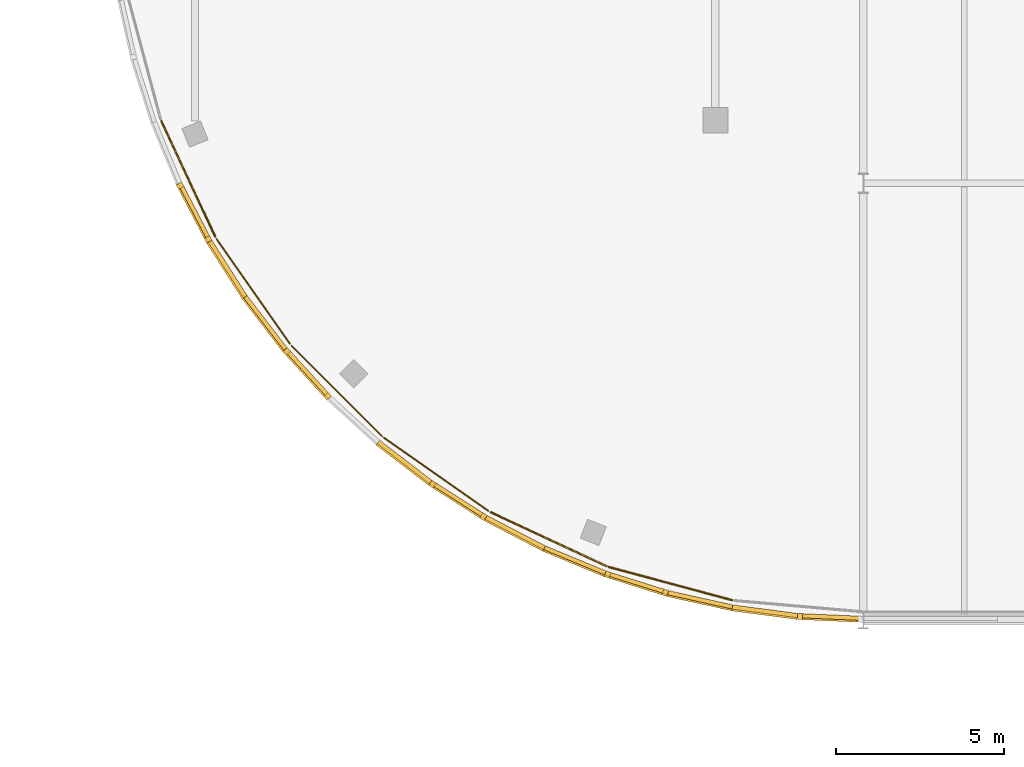
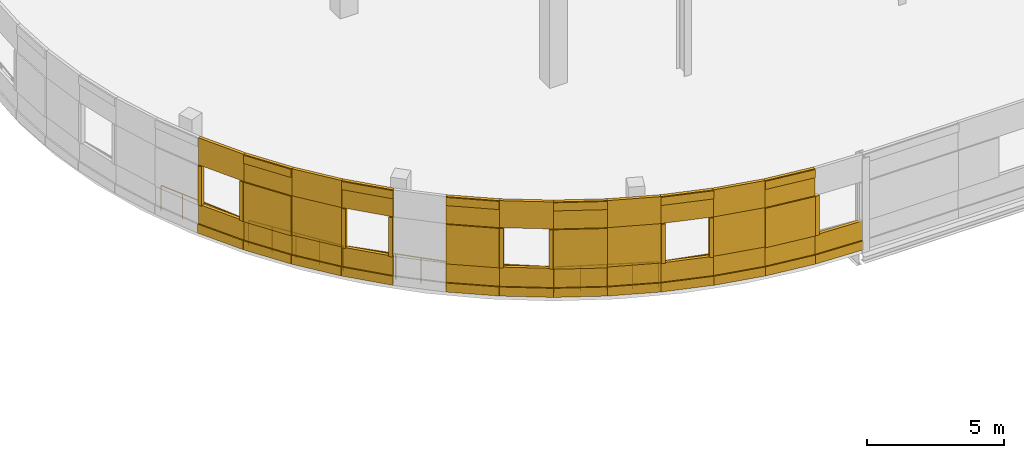
# One storey, part 77 of 88: 57 coverings, 6 railings.
"""IFC4 building model written with IfcOpenShell, lengths in metres."""

from ifc_helpers import new_model, si_unit, direction, frame, origin, origin_2d, place, context, subcontext, project, spatial, rectangle, circle, extrude, material, layer, layer_set, type_object, element, save


model = new_model("IFC4")

# Units and contexts
model_context = context("Model", 3, precision=1e-05, world=origin(), true_north=direction((0.0, 1.0)))
body_context = subcontext(model_context, "Body", "Model", "MODEL_VIEW")
ifc_project = project(units=[si_unit("LENGTHUNIT", "METRE"), si_unit("AREAUNIT", "SQUARE_METRE"), si_unit("VOLUMEUNIT", "CUBIC_METRE"), si_unit("PLANEANGLEUNIT", "RADIAN"), si_unit("MASSUNIT", "GRAM", prefix="KILO")], contexts=[model_context])

# Site, building, storey
site_placement = place(None, origin())
site = spatial("IfcSite", under=ifc_project, at=site_placement, CompositionType="ELEMENT")
building_placement = place(site_placement, origin())
building = spatial("IfcBuilding", under=site, at=building_placement, Name="Deido Ridge Mobility Hub", CompositionType="ELEMENT")
storey_placement = place(building_placement, frame((0.0, 0.0, 16.800048828125)))
storey = spatial("IfcBuildingStorey", under=building, at=storey_placement, Name="L04", CompositionType="ELEMENT", Elevation=16.800048828125)

# Coverings
ifc_material_1 = material(Name="Fired clay brick masonry", Category="masonry")
ifc_layer = layer(ifc_material_1, 0.114990234375, Name="Fired clay brick masonry")
ifc_layer_set = layer_set([ifc_layer], Name="Fired clay brick masonry")
covering_type = type_object("IfcCoveringType", Name="COV-BRK-SCREEN-115", PredefinedType="CLADDING", material=ifc_layer_set)
covering_1_placement = place(storey_placement, frame((25.107666015625, 93.144775390625, 0.0), z_axis=(0.0, 0.0, 1.0), x_axis=(0.461733131905, -0.887018892077, 0.0)))
element("IfcCovering", 1, at=covering_1_placement, inside=storey, type_object=covering_type, Name="Open brickwork spandrel course BKS1 (L04)", PredefinedType="CLADDING", context=body_context, shape_type="SweptSolid", body=[
    extrude(rectangle(XDim=1.9619140625, YDim=0.125, at=origin_2d()), origin(), (0.0, 0.0, 1.0), 1.25),
])
covering_2_placement = place(storey_placement, frame((25.083251953125, 93.132080078125, 0.0), z_axis=(0.0, 0.0, 1.0), x_axis=(0.461733131905, -0.887018892077, 0.0)))
element("IfcCovering", 2, at=covering_2_placement, inside=storey, type_object=covering_type, Name="Raised brick relief belt BKS1 (L04)", PredefinedType="CLADDING", context=body_context, shape_type="SweptSolid", body=[
    extrude(rectangle(XDim=1.9619140625, YDim=0.179931640625, at=origin_2d()), origin(), (0.0, 0.0, 1.0), 0.39990234375),
])
covering_3_placement = place(storey_placement, frame((25.107666015625, 93.144775390625, 3.0), z_axis=(0.0, 0.0, 1.0), x_axis=(0.461733131905, -0.887018892077, 0.0)))
element("IfcCovering", 3, at=covering_3_placement, inside=storey, type_object=covering_type, Name="Open brickwork lintel course BKS1 (L04)", PredefinedType="CLADDING", context=body_context, shape_type="SweptSolid", body=[
    extrude(rectangle(XDim=1.9619140625, YDim=0.125, at=origin_2d()), origin(), (0.0, 0.0, 1.0), 1.199951171875),
])
for number, where, z_axis, x_axis, name in (
    (4, (24.667236328125, 93.931396484375, 1.25), (0.0, 0.0, 1.0), (0.461733131905, -0.887018892077, 0.0), "Curved brick jamb nib BKS1 (L04)"),
    (5, (25.49951171875, 92.332763671875, 1.25), (0.0, 0.0, 1.0), (0.461733131905, -0.887018892077, 0.0), "Curved brick jamb nib BKS1 (L04)"),
):
    element("IfcCovering", number, at=place(storey_placement, frame(where, z_axis=z_axis, x_axis=x_axis)), inside=storey, type_object=covering_type, Name=name, PredefinedType="CLADDING", context=body_context, shape_type="SweptSolid", body=[
        extrude(rectangle(XDim=0.152099609375, YDim=0.179931640625, at=origin_2d()), origin(), (0.0, 0.0, 1.0), 1.75),
    ])
covering_4_placement = place(storey_placement, frame((26.0859375, 91.450439453125, 0.0), z_axis=(0.0, 0.0, 1.0), x_axis=(0.537314328223, -0.843382068037, 0.0)))
element("IfcCovering", 6, at=covering_4_placement, inside=storey, type_object=covering_type, Name="Open brickwork spandrel course BKS1 (L04)", PredefinedType="CLADDING", context=body_context, shape_type="SweptSolid", body=[
    extrude(rectangle(XDim=1.9619140625, YDim=0.125, at=origin_2d()), origin(), (0.0, 0.0, 1.0), 1.25),
])
covering_5_placement = place(storey_placement, frame((26.062744140625, 91.435791015625, 0.0), z_axis=(0.0, 0.0, 1.0), x_axis=(0.537314328223, -0.843382068037, 0.0)))
element("IfcCovering", 7, at=covering_5_placement, inside=storey, type_object=covering_type, Name="Raised brick relief belt BKS1 (L04)", PredefinedType="CLADDING", context=body_context, shape_type="SweptSolid", body=[
    extrude(rectangle(XDim=1.9619140625, YDim=0.179931640625, at=origin_2d()), origin(), (0.0, 0.0, 1.0), 0.39990234375),
])
covering_6_placement = place(storey_placement, frame((26.0859375, 91.450439453125, 3.0), z_axis=(0.0, 0.0, 1.0), x_axis=(0.537314328223, -0.843382068037, 0.0)))
element("IfcCovering", 8, at=covering_6_placement, inside=storey, type_object=covering_type, Name="Open brickwork lintel course BKS1 (L04)", PredefinedType="CLADDING", context=body_context, shape_type="SweptSolid", body=[
    extrude(rectangle(XDim=1.9619140625, YDim=0.125, at=origin_2d()), origin(), (0.0, 0.0, 1.0), 1.199951171875),
])
covering_7_placement = place(storey_placement, frame((26.062744140625, 91.435791015625, 3.83984375), z_axis=(0.0, 0.0, 1.0), x_axis=(0.537314328223, -0.843382068037, 0.0)))
element("IfcCovering", 9, at=covering_7_placement, inside=storey, type_object=covering_type, Name="Raised brick relief cornice BKS1 (L04)", PredefinedType="CLADDING", context=body_context, shape_type="SweptSolid", body=[
    extrude(rectangle(XDim=1.9619140625, YDim=0.179931640625, at=origin_2d()), origin(), (0.0, 0.0, 1.0), 0.360107421875),
])
covering_8_placement = place(storey_placement, frame((26.062744140625, 91.435791015625, 1.25), z_axis=(0.0, 0.0, 1.0), x_axis=(0.537314328223, -0.843382068037, 0.0)))
element("IfcCovering", 10, at=covering_8_placement, inside=storey, type_object=covering_type, Name="Curved raised brickwork pier BKS1 (L04)", PredefinedType="CLADDING", context=body_context, shape_type="SweptSolid", body=[
    extrude(rectangle(XDim=1.9619140625, YDim=0.179931640625, at=origin_2d()), origin(), (0.0, 0.0, 1.0), 1.75),
])
covering_9_placement = place(storey_placement, frame((27.2080078125, 89.847900390625, 0.0), z_axis=(0.0, 0.0, 1.0), x_axis=(0.608761429009, -0.793353340291, 0.0)))
element("IfcCovering", 11, at=covering_9_placement, inside=storey, type_object=covering_type, Name="Open brickwork spandrel course BKS1 (L04)", PredefinedType="CLADDING", context=body_context, shape_type="SweptSolid", body=[
    extrude(rectangle(XDim=1.9619140625, YDim=0.125, at=origin_2d()), origin(), (0.0, 0.0, 1.0), 1.25),
])
covering_10_placement = place(storey_placement, frame((27.186279296875, 89.8310546875, 0.0), z_axis=(0.0, 0.0, 1.0), x_axis=(0.608761429009, -0.793353340291, 0.0)))
element("IfcCovering", 12, at=covering_10_placement, inside=storey, type_object=covering_type, Name="Raised brick relief belt BKS1 (L04)", PredefinedType="CLADDING", context=body_context, shape_type="SweptSolid", body=[
    extrude(rectangle(XDim=1.9619140625, YDim=0.179931640625, at=origin_2d()), origin(), (0.0, 0.0, 1.0), 0.39990234375),
])
covering_11_placement = place(storey_placement, frame((27.2080078125, 89.847900390625, 3.0), z_axis=(0.0, 0.0, 1.0), x_axis=(0.608761429009, -0.793353340291, 0.0)))
element("IfcCovering", 13, at=covering_11_placement, inside=storey, type_object=covering_type, Name="Open brickwork lintel course BKS1 (L04)", PredefinedType="CLADDING", context=body_context, shape_type="SweptSolid", body=[
    extrude(rectangle(XDim=1.9619140625, YDim=0.125, at=origin_2d()), origin(), (0.0, 0.0, 1.0), 1.199951171875),
])
covering_12_placement = place(storey_placement, frame((27.2080078125, 89.847900390625, 1.25), z_axis=(0.0, 0.0, 1.0), x_axis=(0.608761429009, -0.793353340291, 0.0)))
element("IfcCovering", 14, at=covering_12_placement, inside=storey, type_object=covering_type, Name="Curved raised brickwork pier BKS1 (L04)", PredefinedType="CLADDING", context=body_context, shape_type="SweptSolid", body=[
    extrude(rectangle(XDim=1.9619140625, YDim=0.125, at=origin_2d()), origin(), (0.0, 0.0, 1.0), 1.75),
])
covering_13_placement = place(storey_placement, frame((28.4658203125, 88.34912109375, 0.0), z_axis=(0.0, 0.0, 1.0), x_axis=(0.675577339596, -0.737289127971, 0.0)))
element("IfcCovering", 15, at=covering_13_placement, inside=storey, type_object=covering_type, Name="Open brickwork spandrel course BKS1 (L04)", PredefinedType="CLADDING", context=body_context, shape_type="SweptSolid", body=[
    extrude(rectangle(XDim=1.9619140625, YDim=0.125, at=origin_2d()), origin(), (0.0, 0.0, 1.0), 1.25),
])
covering_14_placement = place(storey_placement, frame((28.4453125, 88.33056640625, 0.0), z_axis=(0.0, 0.0, 1.0), x_axis=(0.675577339596, -0.737289127971, 0.0)))
element("IfcCovering", 16, at=covering_14_placement, inside=storey, type_object=covering_type, Name="Raised brick relief belt BKS1 (L04)", PredefinedType="CLADDING", context=body_context, shape_type="SweptSolid", body=[
    extrude(rectangle(XDim=1.9619140625, YDim=0.179931640625, at=origin_2d()), origin(), (0.0, 0.0, 1.0), 0.39990234375),
])
covering_15_placement = place(storey_placement, frame((28.4658203125, 88.34912109375, 3.0), z_axis=(0.0, 0.0, 1.0), x_axis=(0.675577339596, -0.737289127971, 0.0)))
element("IfcCovering", 17, at=covering_15_placement, inside=storey, type_object=covering_type, Name="Open brickwork lintel course BKS1 (L04)", PredefinedType="CLADDING", context=body_context, shape_type="SweptSolid", body=[
    extrude(rectangle(XDim=1.9619140625, YDim=0.125, at=origin_2d()), origin(), (0.0, 0.0, 1.0), 1.199951171875),
])
covering_16_placement = place(storey_placement, frame((28.4453125, 88.33056640625, 3.83984375), z_axis=(0.0, 0.0, 1.0), x_axis=(0.675577339596, -0.737289127971, 0.0)))
element("IfcCovering", 18, at=covering_16_placement, inside=storey, type_object=covering_type, Name="Raised brick relief cornice BKS1 (L04)", PredefinedType="CLADDING", context=body_context, shape_type="SweptSolid", body=[
    extrude(rectangle(XDim=1.9619140625, YDim=0.179931640625, at=origin_2d()), origin(), (0.0, 0.0, 1.0), 0.360107421875),
])
for number, where, z_axis, x_axis, name in (
    (19, (27.836669921875, 88.994873046875, 1.25), (0.0, 0.0, 1.0), (0.675577339596, -0.737289127971, 0.0), "Curved brick jamb nib BKS1 (L04)"),
    (20, (29.05419921875, 87.666259765625, 1.25), (0.0, 0.0, 1.0), (0.675577339596, -0.737289127971, 0.0), "Curved brick jamb nib BKS1 (L04)"),
):
    element("IfcCovering", number, at=place(storey_placement, frame(where, z_axis=z_axis, x_axis=x_axis)), inside=storey, type_object=covering_type, Name=name, PredefinedType="CLADDING", context=body_context, shape_type="SweptSolid", body=[
        extrude(rectangle(XDim=0.152099609375, YDim=0.179931640625, at=origin_2d()), origin(), (0.0, 0.0, 1.0), 1.75),
    ])
covering_17_placement = place(storey_placement, frame((31.347900390625, 85.7080078125, 0.0), z_axis=(0.0, 0.0, 1.0), x_axis=(0.793353340291, -0.608761429009, 0.0)))
element("IfcCovering", 21, at=covering_17_placement, inside=storey, type_object=covering_type, Name="Open brickwork spandrel course BKS1 (L04)", PredefinedType="CLADDING", context=body_context, shape_type="SweptSolid", body=[
    extrude(rectangle(XDim=1.9619140625, YDim=0.125, at=origin_2d()), origin(), (0.0, 0.0, 1.0), 1.25),
])
covering_18_placement = place(storey_placement, frame((31.3310546875, 85.686279296875, 0.0), z_axis=(0.0, 0.0, 1.0), x_axis=(0.793353340291, -0.608761429009, 0.0)))
element("IfcCovering", 22, at=covering_18_placement, inside=storey, type_object=covering_type, Name="Raised brick relief belt BKS1 (L04)", PredefinedType="CLADDING", context=body_context, shape_type="SweptSolid", body=[
    extrude(rectangle(XDim=1.9619140625, YDim=0.179931640625, at=origin_2d()), origin(), (0.0, 0.0, 1.0), 0.39990234375),
])
covering_19_placement = place(storey_placement, frame((31.347900390625, 85.7080078125, 3.0), z_axis=(0.0, 0.0, 1.0), x_axis=(0.793353340291, -0.608761429009, 0.0)))
element("IfcCovering", 23, at=covering_19_placement, inside=storey, type_object=covering_type, Name="Open brickwork lintel course BKS1 (L04)", PredefinedType="CLADDING", context=body_context, shape_type="SweptSolid", body=[
    extrude(rectangle(XDim=1.9619140625, YDim=0.125, at=origin_2d()), origin(), (0.0, 0.0, 1.0), 1.199951171875),
])
covering_20_placement = place(storey_placement, frame((31.3310546875, 85.686279296875, 3.83984375), z_axis=(0.0, 0.0, 1.0), x_axis=(0.793353340291, -0.608761429009, 0.0)))
element("IfcCovering", 24, at=covering_20_placement, inside=storey, type_object=covering_type, Name="Raised brick relief cornice BKS1 (L04)", PredefinedType="CLADDING", context=body_context, shape_type="SweptSolid", body=[
    extrude(rectangle(XDim=1.9619140625, YDim=0.179931640625, at=origin_2d()), origin(), (0.0, 0.0, 1.0), 0.360107421875),
])
covering_21_placement = place(storey_placement, frame((31.3310546875, 85.686279296875, 1.25), z_axis=(0.0, 0.0, 1.0), x_axis=(0.793353340291, -0.608761429009, 0.0)))
element("IfcCovering", 25, at=covering_21_placement, inside=storey, type_object=covering_type, Name="Curved raised brickwork pier BKS1 (L04)", PredefinedType="CLADDING", context=body_context, shape_type="SweptSolid", body=[
    extrude(rectangle(XDim=1.9619140625, YDim=0.179931640625, at=origin_2d()), origin(), (0.0, 0.0, 1.0), 1.75),
])
covering_22_placement = place(storey_placement, frame((32.950439453125, 84.5859375, 0.0), z_axis=(0.0, 0.0, 1.0), x_axis=(0.843382068037, -0.537314328223, 0.0)))
element("IfcCovering", 26, at=covering_22_placement, inside=storey, type_object=covering_type, Name="Open brickwork spandrel course BKS1 (L04)", PredefinedType="CLADDING", context=body_context, shape_type="SweptSolid", body=[
    extrude(rectangle(XDim=1.9619140625, YDim=0.125, at=origin_2d()), origin(), (0.0, 0.0, 1.0), 1.25),
])
covering_23_placement = place(storey_placement, frame((32.935791015625, 84.562744140625, 0.0), z_axis=(0.0, 0.0, 1.0), x_axis=(0.843382068037, -0.537314328223, 0.0)))
element("IfcCovering", 27, at=covering_23_placement, inside=storey, type_object=covering_type, Name="Raised brick relief belt BKS1 (L04)", PredefinedType="CLADDING", context=body_context, shape_type="SweptSolid", body=[
    extrude(rectangle(XDim=1.9619140625, YDim=0.179931640625, at=origin_2d()), origin(), (0.0, 0.0, 1.0), 0.39990234375),
])
covering_24_placement = place(storey_placement, frame((32.950439453125, 84.5859375, 3.0), z_axis=(0.0, 0.0, 1.0), x_axis=(0.843382068037, -0.537314328223, 0.0)))
element("IfcCovering", 28, at=covering_24_placement, inside=storey, type_object=covering_type, Name="Open brickwork lintel course BKS1 (L04)", PredefinedType="CLADDING", context=body_context, shape_type="SweptSolid", body=[
    extrude(rectangle(XDim=1.9619140625, YDim=0.125, at=origin_2d()), origin(), (0.0, 0.0, 1.0), 1.199951171875),
])
for number, where, z_axis, x_axis, name in (
    (29, (32.17578125, 85.046875, 1.25), (0.0, 0.0, 1.0), (0.843382068037, -0.537314328223, 0.0), "Curved brick jamb nib BKS1 (L04)"),
    (30, (33.695556640625, 84.07861328125, 1.25), (0.0, 0.0, 1.0), (0.843382068037, -0.537314328223, 0.0), "Curved brick jamb nib BKS1 (L04)"),
):
    element("IfcCovering", number, at=place(storey_placement, frame(where, z_axis=z_axis, x_axis=x_axis)), inside=storey, type_object=covering_type, Name=name, PredefinedType="CLADDING", context=body_context, shape_type="SweptSolid", body=[
        extrude(rectangle(XDim=0.152099609375, YDim=0.179931640625, at=origin_2d()), origin(), (0.0, 0.0, 1.0), 1.75),
    ])
covering_25_placement = place(storey_placement, frame((34.644775390625, 83.607666015625, 0.0), z_axis=(0.0, 0.0, 1.0), x_axis=(0.887018892077, -0.461733131905, 0.0)))
element("IfcCovering", 31, at=covering_25_placement, inside=storey, type_object=covering_type, Name="Open brickwork spandrel course BKS1 (L04)", PredefinedType="CLADDING", context=body_context, shape_type="SweptSolid", body=[
    extrude(rectangle(XDim=1.9619140625, YDim=0.125, at=origin_2d()), origin(), (0.0, 0.0, 1.0), 1.25),
])
covering_26_placement = place(storey_placement, frame((34.632080078125, 83.583251953125, 0.0), z_axis=(0.0, 0.0, 1.0), x_axis=(0.887018892077, -0.461733131905, 0.0)))
element("IfcCovering", 32, at=covering_26_placement, inside=storey, type_object=covering_type, Name="Raised brick relief belt BKS1 (L04)", PredefinedType="CLADDING", context=body_context, shape_type="SweptSolid", body=[
    extrude(rectangle(XDim=1.9619140625, YDim=0.179931640625, at=origin_2d()), origin(), (0.0, 0.0, 1.0), 0.39990234375),
])
covering_27_placement = place(storey_placement, frame((34.644775390625, 83.607666015625, 3.0), z_axis=(0.0, 0.0, 1.0), x_axis=(0.887018892077, -0.461733131905, 0.0)))
element("IfcCovering", 33, at=covering_27_placement, inside=storey, type_object=covering_type, Name="Open brickwork lintel course BKS1 (L04)", PredefinedType="CLADDING", context=body_context, shape_type="SweptSolid", body=[
    extrude(rectangle(XDim=1.9619140625, YDim=0.125, at=origin_2d()), origin(), (0.0, 0.0, 1.0), 1.199951171875),
])
covering_28_placement = place(storey_placement, frame((34.632080078125, 83.583251953125, 3.83984375), z_axis=(0.0, 0.0, 1.0), x_axis=(0.887018892077, -0.461733131905, 0.0)))
element("IfcCovering", 34, at=covering_28_placement, inside=storey, type_object=covering_type, Name="Raised brick relief cornice BKS1 (L04)", PredefinedType="CLADDING", context=body_context, shape_type="SweptSolid", body=[
    extrude(rectangle(XDim=1.9619140625, YDim=0.179931640625, at=origin_2d()), origin(), (0.0, 0.0, 1.0), 0.360107421875),
])
covering_29_placement = place(storey_placement, frame((34.632080078125, 83.583251953125, 1.25), z_axis=(0.0, 0.0, 1.0), x_axis=(0.887018892077, -0.461733131905, 0.0)))
element("IfcCovering", 35, at=covering_29_placement, inside=storey, type_object=covering_type, Name="Curved raised brickwork pier BKS1 (L04)", PredefinedType="CLADDING", context=body_context, shape_type="SweptSolid", body=[
    extrude(rectangle(XDim=1.9619140625, YDim=0.179931640625, at=origin_2d()), origin(), (0.0, 0.0, 1.0), 1.75),
])
covering_30_placement = place(storey_placement, frame((36.41796875, 82.781005859375, 0.0), z_axis=(0.0, 0.0, 1.0), x_axis=(0.923872853285, -0.382699557047, 0.0)))
element("IfcCovering", 36, at=covering_30_placement, inside=storey, type_object=covering_type, Name="Open brickwork spandrel course BKS1 (L04)", PredefinedType="CLADDING", context=body_context, shape_type="SweptSolid", body=[
    extrude(rectangle(XDim=1.9619140625, YDim=0.125, at=origin_2d()), origin(), (0.0, 0.0, 1.0), 1.25),
])
covering_31_placement = place(storey_placement, frame((36.4072265625, 82.755615234375, 0.0), z_axis=(0.0, 0.0, 1.0), x_axis=(0.923872853285, -0.382699557047, 0.0)))
element("IfcCovering", 37, at=covering_31_placement, inside=storey, type_object=covering_type, Name="Raised brick relief belt BKS1 (L04)", PredefinedType="CLADDING", context=body_context, shape_type="SweptSolid", body=[
    extrude(rectangle(XDim=1.9619140625, YDim=0.179931640625, at=origin_2d()), origin(), (0.0, 0.0, 1.0), 0.39990234375),
])
covering_32_placement = place(storey_placement, frame((36.41796875, 82.781005859375, 3.0), z_axis=(0.0, 0.0, 1.0), x_axis=(0.923872853285, -0.382699557047, 0.0)))
element("IfcCovering", 38, at=covering_32_placement, inside=storey, type_object=covering_type, Name="Open brickwork lintel course BKS1 (L04)", PredefinedType="CLADDING", context=body_context, shape_type="SweptSolid", body=[
    extrude(rectangle(XDim=1.9619140625, YDim=0.125, at=origin_2d()), origin(), (0.0, 0.0, 1.0), 1.199951171875),
])
covering_33_placement = place(storey_placement, frame((36.41796875, 82.781005859375, 1.25), z_axis=(0.0, 0.0, 1.0), x_axis=(0.923872853285, -0.382699557047, 0.0)))
element("IfcCovering", 39, at=covering_33_placement, inside=storey, type_object=covering_type, Name="Curved raised brickwork pier BKS1 (L04)", PredefinedType="CLADDING", context=body_context, shape_type="SweptSolid", body=[
    extrude(rectangle(XDim=1.9619140625, YDim=0.125, at=origin_2d()), origin(), (0.0, 0.0, 1.0), 1.75),
])
covering_34_placement = place(storey_placement, frame((38.25634765625, 82.11181640625, 0.0), z_axis=(0.0, 0.0, 1.0), x_axis=(0.95372744678, -0.300672508319, 0.0)))
element("IfcCovering", 40, at=covering_34_placement, inside=storey, type_object=covering_type, Name="Open brickwork spandrel course BKS1 (L04)", PredefinedType="CLADDING", context=body_context, shape_type="SweptSolid", body=[
    extrude(rectangle(XDim=1.9619140625, YDim=0.125, at=origin_2d()), origin(), (0.0, 0.0, 1.0), 1.25),
])
covering_35_placement = place(storey_placement, frame((38.248046875, 82.085693359375, 0.0), z_axis=(0.0, 0.0, 1.0), x_axis=(0.95372744678, -0.300672508319, 0.0)))
element("IfcCovering", 41, at=covering_35_placement, inside=storey, type_object=covering_type, Name="Raised brick relief belt BKS1 (L04)", PredefinedType="CLADDING", context=body_context, shape_type="SweptSolid", body=[
    extrude(rectangle(XDim=1.9619140625, YDim=0.179931640625, at=origin_2d()), origin(), (0.0, 0.0, 1.0), 0.39990234375),
])
covering_36_placement = place(storey_placement, frame((38.25634765625, 82.11181640625, 3.0), z_axis=(0.0, 0.0, 1.0), x_axis=(0.95372744678, -0.300672508319, 0.0)))
element("IfcCovering", 42, at=covering_36_placement, inside=storey, type_object=covering_type, Name="Open brickwork lintel course BKS1 (L04)", PredefinedType="CLADDING", context=body_context, shape_type="SweptSolid", body=[
    extrude(rectangle(XDim=1.9619140625, YDim=0.125, at=origin_2d()), origin(), (0.0, 0.0, 1.0), 1.199951171875),
])
covering_37_placement = place(storey_placement, frame((38.248046875, 82.085693359375, 3.83984375), z_axis=(0.0, 0.0, 1.0), x_axis=(0.95372744678, -0.300672508319, 0.0)))
element("IfcCovering", 43, at=covering_37_placement, inside=storey, type_object=covering_type, Name="Raised brick relief cornice BKS1 (L04)", PredefinedType="CLADDING", context=body_context, shape_type="SweptSolid", body=[
    extrude(rectangle(XDim=1.9619140625, YDim=0.179931640625, at=origin_2d()), origin(), (0.0, 0.0, 1.0), 0.360107421875),
])
for number, where, z_axis, x_axis, name in (
    (44, (37.388671875, 82.3564453125, 1.25), (0.0, 0.0, 1.0), (0.95372744678, -0.300672508319, 0.0), "Curved brick jamb nib BKS1 (L04)"),
    (45, (39.107421875, 81.814697265625, 1.25), (0.0, 0.0, 1.0), (0.95372744678, -0.300672508319, 0.0), "Curved brick jamb nib BKS1 (L04)"),
):
    element("IfcCovering", number, at=place(storey_placement, frame(where, z_axis=z_axis, x_axis=x_axis)), inside=storey, type_object=covering_type, Name=name, PredefinedType="CLADDING", context=body_context, shape_type="SweptSolid", body=[
        extrude(rectangle(XDim=0.152099609375, YDim=0.179931640625, at=origin_2d()), origin(), (0.0, 0.0, 1.0), 1.75),
    ])
covering_38_placement = place(storey_placement, frame((40.14599609375, 81.60546875, 0.0), z_axis=(0.0, 0.0, 1.0), x_axis=(0.976292229387, -0.216456653485, 0.0)))
element("IfcCovering", 46, at=covering_38_placement, inside=storey, type_object=covering_type, Name="Open brickwork spandrel course BKS1 (L04)", PredefinedType="CLADDING", context=body_context, shape_type="SweptSolid", body=[
    extrude(rectangle(XDim=1.9619140625, YDim=0.125, at=origin_2d()), origin(), (0.0, 0.0, 1.0), 1.25),
])
covering_39_placement = place(storey_placement, frame((40.14013671875, 81.57861328125, 0.0), z_axis=(0.0, 0.0, 1.0), x_axis=(0.976292229387, -0.216456653485, 0.0)))
element("IfcCovering", 47, at=covering_39_placement, inside=storey, type_object=covering_type, Name="Raised brick relief belt BKS1 (L04)", PredefinedType="CLADDING", context=body_context, shape_type="SweptSolid", body=[
    extrude(rectangle(XDim=1.9619140625, YDim=0.179931640625, at=origin_2d()), origin(), (0.0, 0.0, 1.0), 0.39990234375),
])
covering_40_placement = place(storey_placement, frame((40.14599609375, 81.60546875, 3.0), z_axis=(0.0, 0.0, 1.0), x_axis=(0.976292229387, -0.216456653485, 0.0)))
element("IfcCovering", 48, at=covering_40_placement, inside=storey, type_object=covering_type, Name="Open brickwork lintel course BKS1 (L04)", PredefinedType="CLADDING", context=body_context, shape_type="SweptSolid", body=[
    extrude(rectangle(XDim=1.9619140625, YDim=0.125, at=origin_2d()), origin(), (0.0, 0.0, 1.0), 1.199951171875),
])
covering_41_placement = place(storey_placement, frame((40.14599609375, 81.60546875, 1.25), z_axis=(0.0, 0.0, 1.0), x_axis=(0.976292229387, -0.216456653485, 0.0)))
element("IfcCovering", 49, at=covering_41_placement, inside=storey, type_object=covering_type, Name="Curved raised brickwork pier BKS1 (L04)", PredefinedType="CLADDING", context=body_context, shape_type="SweptSolid", body=[
    extrude(rectangle(XDim=1.9619140625, YDim=0.125, at=origin_2d()), origin(), (0.0, 0.0, 1.0), 1.75),
])
covering_42_placement = place(storey_placement, frame((42.07275390625, 81.265625, 0.0), z_axis=(0.0, 0.0, 1.0), x_axis=(0.991442583111, -0.130543496177, 0.0)))
element("IfcCovering", 50, at=covering_42_placement, inside=storey, type_object=covering_type, Name="Open brickwork spandrel course BKS1 (L04)", PredefinedType="CLADDING", context=body_context, shape_type="SweptSolid", body=[
    extrude(rectangle(XDim=1.9619140625, YDim=0.125, at=origin_2d()), origin(), (0.0, 0.0, 1.0), 1.25),
])
covering_43_placement = place(storey_placement, frame((42.069091796875, 81.23828125, 0.0), z_axis=(0.0, 0.0, 1.0), x_axis=(0.991442583111, -0.130543496177, 0.0)))
element("IfcCovering", 51, at=covering_43_placement, inside=storey, type_object=covering_type, Name="Raised brick relief belt BKS1 (L04)", PredefinedType="CLADDING", context=body_context, shape_type="SweptSolid", body=[
    extrude(rectangle(XDim=1.9619140625, YDim=0.179931640625, at=origin_2d()), origin(), (0.0, 0.0, 1.0), 0.39990234375),
])
covering_44_placement = place(storey_placement, frame((42.07275390625, 81.265625, 3.0), z_axis=(0.0, 0.0, 1.0), x_axis=(0.991442583111, -0.130543496177, 0.0)))
element("IfcCovering", 52, at=covering_44_placement, inside=storey, type_object=covering_type, Name="Open brickwork lintel course BKS1 (L04)", PredefinedType="CLADDING", context=body_context, shape_type="SweptSolid", body=[
    extrude(rectangle(XDim=1.9619140625, YDim=0.125, at=origin_2d()), origin(), (0.0, 0.0, 1.0), 1.199951171875),
])
covering_45_placement = place(storey_placement, frame((42.069091796875, 81.23828125, 3.83984375), z_axis=(0.0, 0.0, 1.0), x_axis=(0.991442583111, -0.130543496177, 0.0)))
element("IfcCovering", 53, at=covering_45_placement, inside=storey, type_object=covering_type, Name="Raised brick relief cornice BKS1 (L04)", PredefinedType="CLADDING", context=body_context, shape_type="SweptSolid", body=[
    extrude(rectangle(XDim=1.9619140625, YDim=0.179931640625, at=origin_2d()), origin(), (0.0, 0.0, 1.0), 0.360107421875),
])
covering_46_placement = place(storey_placement, frame((42.069091796875, 81.23828125, 1.25), z_axis=(0.0, 0.0, 1.0), x_axis=(0.991442583111, -0.130543496177, 0.0)))
element("IfcCovering", 54, at=covering_46_placement, inside=storey, type_object=covering_type, Name="Curved raised brickwork pier BKS1 (L04)", PredefinedType="CLADDING", context=body_context, shape_type="SweptSolid", body=[
    extrude(rectangle(XDim=1.9619140625, YDim=0.179931640625, at=origin_2d()), origin(), (0.0, 0.0, 1.0), 1.75),
])
covering_47_placement = place(storey_placement, frame((44.021728515625, 81.09521484375, 0.0), z_axis=(0.0, 0.0, 1.0), x_axis=(0.999048982732, -0.043601950678, 0.0)))
element("IfcCovering", 55, at=covering_47_placement, inside=storey, type_object=covering_type, Name="Open brickwork spandrel course BKS1 (L04)", PredefinedType="CLADDING", context=body_context, shape_type="SweptSolid", body=[
    extrude(rectangle(XDim=1.9619140625, YDim=0.125, at=origin_2d()), origin(), (0.0, 0.0, 1.0), 1.25),
])
covering_48_placement = place(storey_placement, frame((44.0205078125, 81.067626953125, 0.0), z_axis=(0.0, 0.0, 1.0), x_axis=(0.999048982732, -0.043601950678, 0.0)))
element("IfcCovering", 56, at=covering_48_placement, inside=storey, type_object=covering_type, Name="Raised brick relief belt BKS1 (L04)", PredefinedType="CLADDING", context=body_context, shape_type="SweptSolid", body=[
    extrude(rectangle(XDim=1.9619140625, YDim=0.179931640625, at=origin_2d()), origin(), (0.0, 0.0, 1.0), 0.39990234375),
])
covering_49_placement = place(storey_placement, frame((43.120361328125, 81.10693359375, 1.25), z_axis=(0.0, 0.0, 1.0), x_axis=(0.999048982732, -0.043601950678, 0.0)))
element("IfcCovering", 57, at=covering_49_placement, inside=storey, type_object=covering_type, Name="Curved brick jamb nib BKS1 (L04)", PredefinedType="CLADDING", context=body_context, shape_type="SweptSolid", body=[
    extrude(rectangle(XDim=0.152099609375, YDim=0.179931640625, at=origin_2d()), origin(), (0.0, 0.0, 1.0), 1.75),
])

# Railings
ifc_material_2 = material(Name="Galvanised steel work", Category="steel")
railing_type = type_object("IfcRailingType", Name="RL-GRD-EXT-1150", PredefinedType="GUARDRAIL", material=ifc_material_2)
railing_1_placement = place(storey_placement, frame((24.108642578125, 95.853759765625, 0.0)))
element("IfcRailing", 58, at=railing_1_placement, inside=storey, type_object=railing_type, Name="Parking drum perimeter guard (L04)", PredefinedType="GUARDRAIL", context=body_context, shape_type="SweptSolid", body=[
    extrude(circle(Radius=0.02392578125, at=origin_2d()), frame((0.0, 0.0, 1.1259765625), z_axis=(0.422674330627, -0.906281639574, 0.0), x_axis=(0.906281639574, 0.422674330627, 0.0)), (0.0, 0.0, 1.0), 3.79833984375),
    extrude(circle(Radius=0.02099609375, at=origin_2d()), origin(), (0.0, 0.0, 1.0), 1.101806640625),
    extrude(circle(Radius=0.02099609375, at=origin_2d()), frame((0.4013671875, -0.860595703125, 0.0)), (0.0, 0.0, 1.0), 1.101806640625),
    extrude(circle(Radius=0.02099609375, at=origin_2d()), frame((0.802734375, -1.72119140625, 0.0)), (0.0, 0.0, 1.0), 1.101806640625),
    extrude(circle(Radius=0.02099609375, at=origin_2d()), frame((1.2041015625, -2.581787109375, 0.0)), (0.0, 0.0, 1.0), 1.101806640625),
    extrude(circle(Radius=0.02099609375, at=origin_2d()), frame((1.60546875, -3.4423828125, 0.0)), (0.0, 0.0, 1.0), 1.101806640625),
])
railing_2_placement = place(storey_placement, frame((25.75390625, 92.34228515625, 0.0)))
element("IfcRailing", 59, at=railing_2_placement, inside=storey, type_object=railing_type, Name="Parking drum perimeter guard (L04)", PredefinedType="GUARDRAIL", context=body_context, shape_type="SweptSolid", body=[
    extrude(circle(Radius=0.02392578125, at=origin_2d()), frame((0.0, 0.0, 1.1259765625), z_axis=(0.573570179609, -0.819156425271, 0.0), x_axis=(0.819156425271, 0.573570179609, 0.0)), (0.0, 0.0, 1.0), 3.798583984375),
    extrude(circle(Radius=0.02099609375, at=origin_2d()), origin(), (0.0, 0.0, 1.0), 1.101806640625),
    extrude(circle(Radius=0.02099609375, at=origin_2d()), frame((0.544677734375, -0.77783203125, 0.0)), (0.0, 0.0, 1.0), 1.101806640625),
    extrude(circle(Radius=0.02099609375, at=origin_2d()), frame((1.08935546875, -1.5556640625, 0.0)), (0.0, 0.0, 1.0), 1.101806640625),
    extrude(circle(Radius=0.02099609375, at=origin_2d()), frame((1.634033203125, -2.333740234375, 0.0)), (0.0, 0.0, 1.0), 1.101806640625),
    extrude(circle(Radius=0.02099609375, at=origin_2d()), frame((2.1787109375, -3.111572265625, 0.0)), (0.0, 0.0, 1.0), 1.101806640625),
])
railing_3_placement = place(storey_placement, frame((27.98388671875, 89.169677734375, 0.0)))
element("IfcRailing", 60, at=railing_3_placement, inside=storey, type_object=railing_type, Name="Parking drum perimeter guard (L04)", PredefinedType="GUARDRAIL", context=body_context, shape_type="SweptSolid", body=[
    extrude(circle(Radius=0.02392578125, at=origin_2d()), frame((0.0, 0.0, 1.1259765625), z_axis=(0.707106781187, -0.707106781187, 0.0), x_axis=(0.707106781187, 0.707106781187, 0.0)), (0.0, 0.0, 1.0), 3.79833984375),
    extrude(circle(Radius=0.02099609375, at=origin_2d()), origin(), (0.0, 0.0, 1.0), 1.101806640625),
    extrude(circle(Radius=0.02099609375, at=origin_2d()), frame((0.67138671875, -0.67138671875, 0.0)), (0.0, 0.0, 1.0), 1.101806640625),
    extrude(circle(Radius=0.02099609375, at=origin_2d()), frame((1.3427734375, -1.3427734375, 0.0)), (0.0, 0.0, 1.0), 1.101806640625),
    extrude(circle(Radius=0.02099609375, at=origin_2d()), frame((2.014404296875, -2.014404296875, 0.0)), (0.0, 0.0, 1.0), 1.101806640625),
    extrude(circle(Radius=0.02099609375, at=origin_2d()), frame((2.685791015625, -2.685791015625, 0.0)), (0.0, 0.0, 1.0), 1.101806640625),
])
railing_4_placement = place(storey_placement, frame((30.730712890625, 86.4326171875, 0.0)))
element("IfcRailing", 61, at=railing_4_placement, inside=storey, type_object=railing_type, Name="Parking drum perimeter guard (L04)", PredefinedType="GUARDRAIL", context=body_context, shape_type="SweptSolid", body=[
    extrude(circle(Radius=0.02392578125, at=origin_2d()), frame((0.0, 0.0, 1.1259765625), z_axis=(0.819156425271, -0.573570179609, 0.0), x_axis=(0.573570179609, 0.819156425271, 0.0)), (0.0, 0.0, 1.0), 3.798583984375),
    extrude(circle(Radius=0.02099609375, at=origin_2d()), origin(), (0.0, 0.0, 1.0), 1.101806640625),
    extrude(circle(Radius=0.02099609375, at=origin_2d()), frame((0.77783203125, -0.544677734375, 0.0)), (0.0, 0.0, 1.0), 1.101806640625),
    extrude(circle(Radius=0.02099609375, at=origin_2d()), frame((1.5556640625, -1.08935546875, 0.0)), (0.0, 0.0, 1.0), 1.101806640625),
    extrude(circle(Radius=0.02099609375, at=origin_2d()), frame((2.333740234375, -1.634033203125, 0.0)), (0.0, 0.0, 1.0), 1.101806640625),
    extrude(circle(Radius=0.02099609375, at=origin_2d()), frame((3.111572265625, -2.1787109375, 0.0)), (0.0, 0.0, 1.0), 1.101806640625),
])
railing_5_placement = place(storey_placement, frame((33.911376953125, 84.214111328125, 0.0)))
element("IfcRailing", 62, at=railing_5_placement, inside=storey, type_object=railing_type, Name="Parking drum perimeter guard (L04)", PredefinedType="GUARDRAIL", context=body_context, shape_type="SweptSolid", body=[
    extrude(circle(Radius=0.02392578125, at=origin_2d()), frame((0.0, 0.0, 1.1259765625), z_axis=(0.906281639574, -0.422674330627, 0.0), x_axis=(0.422674330627, 0.906281639574, 0.0)), (0.0, 0.0, 1.0), 3.79833984375),
    extrude(circle(Radius=0.02099609375, at=origin_2d()), origin(), (0.0, 0.0, 1.0), 1.101806640625),
    extrude(circle(Radius=0.02099609375, at=origin_2d()), frame((0.860595703125, -0.4013671875, 0.0)), (0.0, 0.0, 1.0), 1.101806640625),
    extrude(circle(Radius=0.02099609375, at=origin_2d()), frame((1.72119140625, -0.802734375, 0.0)), (0.0, 0.0, 1.0), 1.101806640625),
    extrude(circle(Radius=0.02099609375, at=origin_2d()), frame((2.581787109375, -1.2041015625, 0.0)), (0.0, 0.0, 1.0), 1.101806640625),
    extrude(circle(Radius=0.02099609375, at=origin_2d()), frame((3.4423828125, -1.60546875, 0.0)), (0.0, 0.0, 1.0), 1.101806640625),
])
railing_6_placement = place(storey_placement, frame((37.4287109375, 82.581298828125, 0.0)))
element("IfcRailing", 63, at=railing_6_placement, inside=storey, type_object=railing_type, Name="Parking drum perimeter guard (L04)", PredefinedType="GUARDRAIL", context=body_context, shape_type="SweptSolid", body=[
    extrude(circle(Radius=0.02392578125, at=origin_2d()), frame((0.0, 0.0, 1.1259765625), z_axis=(0.965937723757, -0.258774639064, 0.0), x_axis=(0.258774639064, 0.965937723757, 0.0)), (0.0, 0.0, 1.0), 3.79833984375),
    extrude(circle(Radius=0.02099609375, at=origin_2d()), origin(), (0.0, 0.0, 1.0), 1.101806640625),
    extrude(circle(Radius=0.02099609375, at=origin_2d()), frame((0.917236328125, -0.24560546875, 0.0)), (0.0, 0.0, 1.0), 1.101806640625),
    extrude(circle(Radius=0.02099609375, at=origin_2d()), frame((1.83447265625, -0.491455078125, 0.0)), (0.0, 0.0, 1.0), 1.101806640625),
    extrude(circle(Radius=0.02099609375, at=origin_2d()), frame((2.751708984375, -0.7373046875, 0.0)), (0.0, 0.0, 1.0), 1.101806640625),
    extrude(circle(Radius=0.02099609375, at=origin_2d()), frame((3.6689453125, -0.98291015625, 0.0)), (0.0, 0.0, 1.0), 1.101806640625),
])

save(model, "model.ifc")
